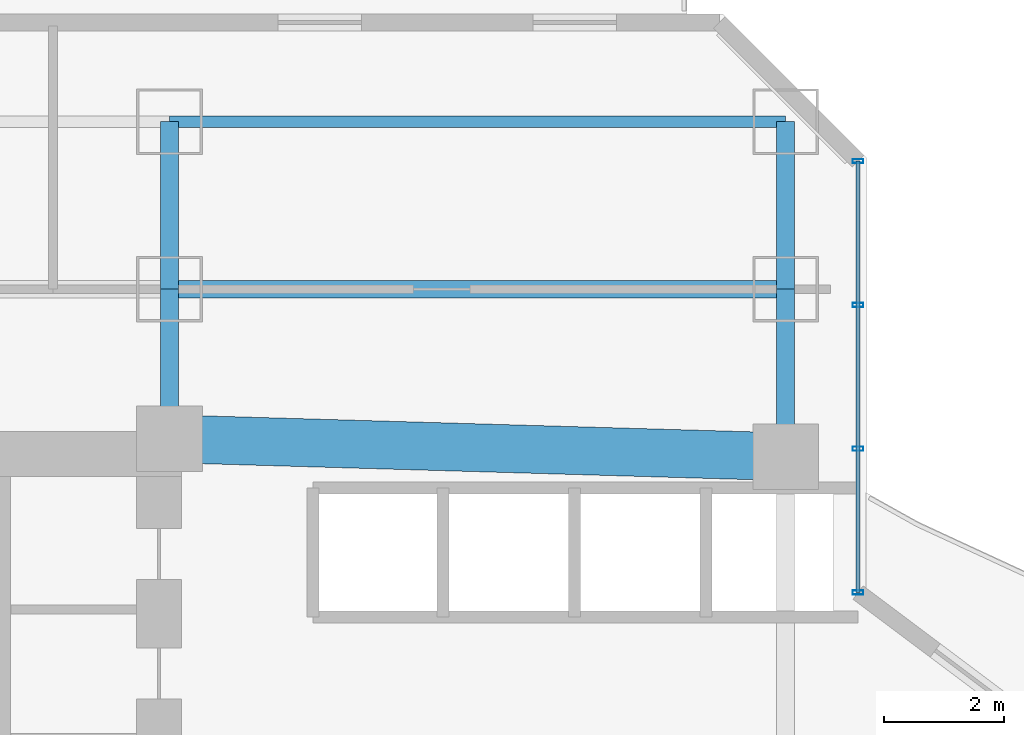
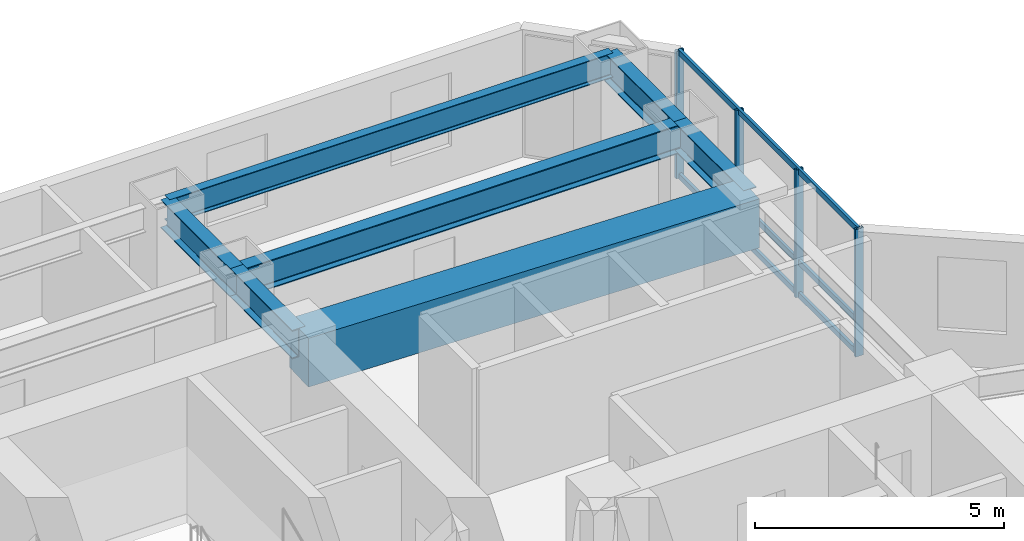
# One storey, part 18 of 37: 7 beams, 7 members, 1 element without a shape of its own.
"""IFC4 building model written with IfcOpenShell, lengths in metres."""

import ifcopenshell
import ifcopenshell.guid

model = None  # the IFC model being written
_history = None  # IfcOwnerHistory: only IFC2X3 demands one
_inside = {}  # id of a spatial element -> (the spatial element, [elements in it])
_under = {}  # id of a project, library or spatial element -> (it, [spatial elements below it])
_declared = {}  # id of a project -> (the project, [libraries it declares])
_typed = {}  # id of a type object -> (the type object, [elements of that type])
_made_of = {}  # id of a material, layer set ... -> (it, [elements and type objects made of it])


def new_model(schema):
    """Start an empty IFC model of exactly this schema.

    Asked for "IFC4X3", IfcOpenShell would pick the latest addendum, in which some entities
    have other attributes; the version numbers below select the first issue.
    IFC2X3 requires an IfcOwnerHistory on every rooted entity: one is made here for all.
    """
    global model, _history
    if schema == "IFC4X3":
        model = ifcopenshell.file(schema_version=(4, 3, 0, 0))
    else:
        model = ifcopenshell.file(schema=schema)
    _inside.clear()
    _under.clear()
    _declared.clear()
    _typed.clear()
    _made_of.clear()
    _history = None
    if model.schema == "IFC2X3":
        org = make("IfcOrganization", Name="unknown")
        user = make(
            "IfcPersonAndOrganization",
            ThePerson=make("IfcPerson", FamilyName="unknown"),
            TheOrganization=org,
        )
        app = make(
            "IfcApplication",
            ApplicationDeveloper=org,
            Version="unknown",
            ApplicationFullName="unknown",
            ApplicationIdentifier="unknown",
        )
        _history = make(
            "IfcOwnerHistory",
            OwningUser=user,
            OwningApplication=app,
            ChangeAction="ADDED",
            CreationDate=0,
        )
    return model


def make(cls, **values):
    """One entity of the class cls with the attributes given. An attribute that is None is left unset."""
    return model.create_entity(
        cls, **{name: value for name, value in values.items() if value is not None}
    )


def rooted(cls, **values):
    """An entity with a GlobalId (a new one), such as an element, a storey or a relation."""
    return make(cls, GlobalId=ifcopenshell.guid.new(), OwnerHistory=_history, **values)


def si_unit(unit_type, name, prefix=None):
    """IfcSIUnit, for example si_unit("LENGTHUNIT", "METRE", prefix="MILLI")."""
    return make("IfcSIUnit", UnitType=unit_type, Prefix=prefix, Name=name)


def assignment(units):
    """IfcUnitAssignment: the units of a project."""
    return None if units is None else make("IfcUnitAssignment", Units=units)


def point(xyz):
    """IfcCartesianPoint."""
    return None if xyz is None else make("IfcCartesianPoint", Coordinates=xyz)


def direction(xyz):
    """IfcDirection."""
    return None if xyz is None else make("IfcDirection", DirectionRatios=xyz)


def frame(location, z_axis=None, x_axis=None):
    """IfcAxis2Placement3D, a coordinate frame: its origin and axes. An axis left out is left unset."""
    return make(
        "IfcAxis2Placement3D",
        Location=point(location),
        Axis=direction(z_axis),
        RefDirection=direction(x_axis),
    )


def frame_2d(location, x_axis=None):
    """IfcAxis2Placement2D, a coordinate frame in the plane: its origin and x axis."""
    return make(
        "IfcAxis2Placement2D", Location=point(location), RefDirection=direction(x_axis)
    )


def origin():
    """The frame at (0, 0, 0) with its axes left unset."""
    return frame((0.0, 0.0, 0.0))


def origin_2d():
    """The frame at (0, 0) in the plane with its x axis left unset."""
    return frame_2d((0.0, 0.0))


def place(relative_to, where):
    """IfcLocalPlacement: puts the frame where relative to a parent placement (None: the world)."""
    return make(
        "IfcLocalPlacement", PlacementRelTo=relative_to, RelativePlacement=where
    )


def context(
    kind, dimensions, precision=None, world=None, true_north=None, identifier=None
):
    """IfcGeometricRepresentationContext, for example the 3D "Model" context."""
    return make(
        "IfcGeometricRepresentationContext",
        ContextIdentifier=identifier,
        ContextType=kind,
        CoordinateSpaceDimension=dimensions,
        Precision=precision,
        WorldCoordinateSystem=world,
        TrueNorth=true_north,
    )


def subcontext(parent, identifier, kind, view, scale=None):
    """IfcGeometricRepresentationSubContext, for example "Body" below "Model"."""
    return make(
        "IfcGeometricRepresentationSubContext",
        ContextIdentifier=identifier,
        ContextType=kind,
        ParentContext=parent,
        TargetScale=scale,
        TargetView=view,
    )


def project(units=None, contexts=None):
    """IfcProject with its units and contexts."""
    return rooted(
        "IfcProject",
        Name="project",
        RepresentationContexts=contexts,
        UnitsInContext=assignment(units),
    )


def spatial(cls, under=None, at=None, **own):
    """A site, building, storey or space (cls), placed at a placement, below another one or the project."""
    s = rooted(cls, ObjectPlacement=at, **own)
    if under is not None:
        _under.setdefault(under.id(), (under, []))[1].append(s)
    return s


def profile(cls, at=None, kind="AREA", **sizes):
    """A parametric profile (cls). Its sizes go by their IFC names, for example OverallWidth=200.0."""
    return make(cls, ProfileType=kind, Position=at, **sizes)


def rectangle(**sizes):
    """IfcRectangleProfileDef."""
    return profile("IfcRectangleProfileDef", **sizes)


def hollow_rectangle(**sizes):
    """IfcRectangleHollowProfileDef."""
    return profile("IfcRectangleHollowProfileDef", **sizes)


def i_section(**sizes):
    """IfcIShapeProfileDef."""
    return profile("IfcIShapeProfileDef", **sizes)


def extrude(swept, where, along, depth):
    """IfcExtrudedAreaSolid: the profile swept, set in the frame where, extruded along a direction by depth."""
    return make(
        "IfcExtrudedAreaSolid",
        SweptArea=swept,
        Position=where,
        ExtrudedDirection=direction(along),
        Depth=depth,
    )


def shape(context_of_items, identifier, shape_type, items):
    """IfcShapeRepresentation: the items that make up one representation, for example the "Body"."""
    return make(
        "IfcShapeRepresentation",
        ContextOfItems=context_of_items,
        RepresentationIdentifier=identifier,
        RepresentationType=shape_type,
        Items=items,
    )


def material(Name=None, Category=None):
    """IfcMaterial."""
    return make("IfcMaterial", Name=Name, Category=Category)


def layer(
    of_material, thickness, ventilated=None, Name=None, Category=None, Priority=None
):
    """IfcMaterialLayer: one layer of a wall or slab, of a material (None: an air gap)."""
    return make(
        "IfcMaterialLayer",
        Material=of_material,
        LayerThickness=thickness,
        IsVentilated=ventilated,
        Name=Name,
        Category=Category,
        Priority=Priority,
    )


def layer_set(layers, Name=None):
    """IfcMaterialLayerSet."""
    return make("IfcMaterialLayerSet", MaterialLayers=layers, LayerSetName=Name)


def material_profile(
    of_material, cross_section, Name=None, Category=None, Priority=None
):
    """IfcMaterialProfile: a cross section and its material."""
    return make(
        "IfcMaterialProfile",
        Name=Name,
        Material=of_material,
        Profile=cross_section,
        Priority=Priority,
        Category=Category,
    )


def profile_set(profiles, Name=None, composite=None):
    """IfcMaterialProfileSet."""
    return make(
        "IfcMaterialProfileSet",
        Name=Name,
        MaterialProfiles=profiles,
        CompositeProfile=composite,
    )


def made_of(thing, what):
    """Note that an element or type object is made of a material, layer set ...; save() writes the relation."""
    if what is not None:
        _made_of.setdefault(what.id(), (what, []))[1].append(thing)
    return thing


def type_object(cls, material=None, **own):
    """A type object (cls), such as IfcWallType, which elements share."""
    return made_of(rooted(cls, **own), material)


def element(
    cls,
    number,
    at=None,
    inside=None,
    cuts=None,
    type_object=None,
    material=None,
    context=None,
    identifier="Body",
    shape_type=None,
    held_by="IfcProductDefinitionShape",
    body=None,
    shapes=None,
    **own,
):
    """One element of the class cls, such as IfcWall. Its Tag is "e" and its number.

    at: its placement. inside: the storey or other place that contains it. cuts: it is an
    opening in that element (IfcRelVoidsElement). A single representation is given by context,
    identifier, shape_type and body (its items); several are given by shapes. held_by: the class
    of the entity that holds the representations. save() writes the other relations.
    """
    e = rooted(cls, Tag="e%d" % number, ObjectPlacement=at, **own)
    if body is not None:
        shapes = [shape(context, identifier, shape_type, body)]
    if shapes is not None:
        e.Representation = make(held_by, Representations=shapes)
    if inside is not None:
        _inside.setdefault(inside.id(), (inside, []))[1].append(e)
    if cuts is not None:
        rooted(
            "IfcRelVoidsElement", RelatingBuildingElement=cuts, RelatedOpeningElement=e
        )
    if type_object is not None:
        _typed.setdefault(type_object.id(), (type_object, []))[1].append(e)
    return made_of(e, material)


def aggregate(whole, parts):
    """IfcRelAggregates: a whole, such as a stair, and the parts it consists of."""
    return rooted("IfcRelAggregates", RelatingObject=whole, RelatedObjects=parts)


def save(model, path):
    """Write the relations noted so far, then the file.

    IfcRelAggregates (storeys below a building ...), IfcRelContainedInSpatialStructure (elements
    in a storey), IfcRelDefinesByType, IfcRelAssociatesMaterial and IfcRelDeclares: one each for
    every whole, place, type object, material and project.
    """
    for whole, parts in _under.values():
        aggregate(whole, parts)
    for where, things in _inside.values():
        rooted(
            "IfcRelContainedInSpatialStructure",
            RelatedElements=things,
            RelatingStructure=where,
        )
    for kind, things in _typed.values():
        rooted("IfcRelDefinesByType", RelatedObjects=things, RelatingType=kind)
    for what, things in _made_of.values():
        rooted("IfcRelAssociatesMaterial", RelatedObjects=things, RelatingMaterial=what)
    for by, libraries in _declared.values():
        rooted("IfcRelDeclares", RelatingContext=by, RelatedDefinitions=libraries)
    model.write(path)


model = new_model("IFC4")

# Units and contexts
model_context = context("Model", 3, precision=1e-05, world=origin(), true_north=direction((0.0, 1.0)))
body_context = subcontext(model_context, "Body", "Model", "MODEL_VIEW")
ifc_project = project(units=[si_unit("LENGTHUNIT", "METRE"), si_unit("AREAUNIT", "SQUARE_METRE"), si_unit("VOLUMEUNIT", "CUBIC_METRE"), si_unit("PLANEANGLEUNIT", "RADIAN"), si_unit("MASSUNIT", "GRAM", prefix="KILO")], contexts=[model_context])

# Site, building, storey
site_placement = place(None, origin())
site = spatial("IfcSite", under=ifc_project, at=site_placement, CompositionType="ELEMENT")
building_placement = place(site_placement, origin())
building = spatial("IfcBuilding", under=site, at=building_placement, Name="Hatsunagi Terrace Concourse", CompositionType="ELEMENT")
storey_placement = place(building_placement, frame((0.0, 0.0, 50.0)))
storey = spatial("IfcBuildingStorey", under=building, at=storey_placement, Name="L12", CompositionType="ELEMENT", Elevation=50.0)

# Beam
ifc_material_1 = material(Name="Concrete Fc60", Category="concrete")
ifc_material_profile_1 = material_profile(ifc_material_1, rectangle(XDim=0.800048828125, YDim=1.199951171875, at=origin_2d()), Name="RC-800x1200")
ifc_profile_set_1 = profile_set([ifc_material_profile_1], Name="Concrete Fc60")
beam_type_1 = type_object("IfcBeamType", Name="CoreCouplingBeam_RC_800x1200", PredefinedType="BEAM", material=ifc_profile_set_1)
beam_1_placement = place(storey_placement, frame((33.35009765625, 43.300048828125, 2.530029296875), z_axis=(0.999575947545, -0.029119153303, 0.0), x_axis=(0.029119153303, 0.999575947545, 0.0)))
element("IfcBeam", 1, at=beam_1_placement, inside=storey, type_object=beam_type_1, Name="Beam CB-01 CB-L12-2", PredefinedType="BEAM", context=body_context, shape_type="SweptSolid", body=[
    extrude(rectangle(XDim=0.800048828125, YDim=1.199951171875, at=origin_2d()), origin(), (0.0, 0.0, 1.0), 10.30419921875),
])

# Curtain wall, members
ifc_material_2 = material(Name="Anodised Aluminium Alloy 6063-T5", Category="aluminium")
ifc_layer = layer(ifc_material_2, 0.199951171875)
ifc_layer_set = layer_set([ifc_layer], Name="HotelFacade_CW02")
curtain_wall_type = type_object("IfcCurtainWallType", Name="HotelFacade_CW02", PredefinedType="NOTDEFINED", material=ifc_layer_set)
curtain_wall_placement = place(storey_placement, origin())
curtain_wall = element("IfcCurtainWall", 2, at=curtain_wall_placement, inside=storey, type_object=curtain_wall_type, Name="Unitised Curtain Wall CW-02 CW-L12-13", PredefinedType="NOTDEFINED")
ifc_material_3 = material(Name="Anodised Aluminium Alloy 6063-T5", Category="aluminium")
ifc_material_profile_2 = material_profile(ifc_material_3, hollow_rectangle(XDim=0.070068359375, YDim=0.179931640625, WallThickness=0.00390625, at=origin_2d()), Name="ALU-MUL-180x70x4")
ifc_profile_set_2 = profile_set([ifc_material_profile_2], Name="Anodised Aluminium Alloy 6063-T5")
member_type_1 = type_object("IfcMemberType", Name="CurtainWallMullion_180x70", PredefinedType="MULLION", material=ifc_profile_set_2)
member_1_placement = place(storey_placement, frame((44.860107421875, 47.94189453125, 0.0), z_axis=(0.0, 0.0, 1.0), x_axis=(0.0, -1.0, 0.0)))
member_1 = element("IfcMember", 3, at=member_1_placement, type_object=member_type_1, Name="Curtain Wall Mullion MUL-02", PredefinedType="MULLION", context=body_context, shape_type="SweptSolid", body=[
    extrude(hollow_rectangle(XDim=0.070068359375, YDim=0.179931640625, WallThickness=0.00390625, at=origin_2d()), origin(), (0.0, 0.0, 1.0), 3.1298828125),
])
member_2_placement = place(storey_placement, frame((44.860107421875, 45.5380859375, 0.0), z_axis=(0.0, 0.0, 1.0), x_axis=(0.0, -1.0, 0.0)))
member_2 = element("IfcMember", 4, at=member_2_placement, type_object=member_type_1, Name="Curtain Wall Mullion MUL-02", PredefinedType="MULLION", context=body_context, shape_type="SweptSolid", body=[
    extrude(hollow_rectangle(XDim=0.070068359375, YDim=0.179931640625, WallThickness=0.00390625, at=origin_2d()), origin(), (0.0, 0.0, 1.0), 3.1298828125),
])
member_3_placement = place(storey_placement, frame((44.860107421875, 43.134033203125, 0.0), z_axis=(0.0, 0.0, 1.0), x_axis=(0.0, -1.0, 0.0)))
member_3 = element("IfcMember", 5, at=member_3_placement, type_object=member_type_1, Name="Curtain Wall Mullion MUL-02", PredefinedType="MULLION", context=body_context, shape_type="SweptSolid", body=[
    extrude(hollow_rectangle(XDim=0.070068359375, YDim=0.179931640625, WallThickness=0.00390625, at=origin_2d()), origin(), (0.0, 0.0, 1.0), 3.1298828125),
])
member_4_placement = place(storey_placement, frame((44.860107421875, 40.72998046875, 0.0), z_axis=(0.0, 0.0, 1.0), x_axis=(0.0, -1.0, 0.0)))
member_4 = element("IfcMember", 6, at=member_4_placement, type_object=member_type_1, Name="Curtain Wall Mullion MUL-02", PredefinedType="MULLION", context=body_context, shape_type="SweptSolid", body=[
    extrude(hollow_rectangle(XDim=0.070068359375, YDim=0.179931640625, WallThickness=0.00390625, at=origin_2d()), origin(), (0.0, 0.0, 1.0), 3.1298828125),
])
ifc_material_4 = material(Name="Anodised Aluminium Alloy 6063-T5", Category="aluminium")
ifc_material_profile_3 = material_profile(ifc_material_4, hollow_rectangle(XDim=0.06494140625, YDim=0.139892578125, WallThickness=0.00390625, at=origin_2d()), Name="ALU-TRN-140x65x4")
ifc_profile_set_3 = profile_set([ifc_material_profile_3], Name="Anodised Aluminium Alloy 6063-T5")
member_type_2 = type_object("IfcMemberType", Name="CurtainWallTransom_140x65", PredefinedType="USERDEFINED", material=ifc_profile_set_3)
member_5_placement = place(storey_placement, frame((44.860107421875, 47.94189453125, 0.050048828125), z_axis=(0.0, -1.0, 0.0), x_axis=(1.0, 0.0, 0.0)))
member_5 = element("IfcMember", 7, at=member_5_placement, type_object=member_type_2, Name="Curtain Wall Transom TRN-02", ObjectType="TRANSOM", PredefinedType="USERDEFINED", context=body_context, shape_type="SweptSolid", body=[
    extrude(hollow_rectangle(XDim=0.06494140625, YDim=0.139892578125, WallThickness=0.00390625, at=origin_2d()), origin(), (0.0, 0.0, 1.0), 7.2119140625),
])
member_6_placement = place(storey_placement, frame((44.860107421875, 47.94189453125, 0.85009765625), z_axis=(0.0, -1.0, 0.0), x_axis=(1.0, 0.0, 0.0)))
member_6 = element("IfcMember", 8, at=member_6_placement, type_object=member_type_2, Name="Curtain Wall Transom TRN-02", ObjectType="TRANSOM", PredefinedType="USERDEFINED", context=body_context, shape_type="SweptSolid", body=[
    extrude(hollow_rectangle(XDim=0.06494140625, YDim=0.139892578125, WallThickness=0.00390625, at=origin_2d()), origin(), (0.0, 0.0, 1.0), 7.2119140625),
])
member_7_placement = place(storey_placement, frame((44.860107421875, 47.94189453125, 3.080078125), z_axis=(0.0, -1.0, 0.0), x_axis=(1.0, 0.0, 0.0)))
member_7 = element("IfcMember", 9, at=member_7_placement, type_object=member_type_2, Name="Curtain Wall Transom TRN-02", ObjectType="TRANSOM", PredefinedType="USERDEFINED", context=body_context, shape_type="SweptSolid", body=[
    extrude(hollow_rectangle(XDim=0.06494140625, YDim=0.139892578125, WallThickness=0.00390625, at=origin_2d()), origin(), (0.0, 0.0, 1.0), 7.2119140625),
])
aggregate(curtain_wall, [member_1, member_2, member_3, member_4, member_5, member_6, member_7])

# Beams
ifc_material_5 = material(Name="Steel SN490B", Category="steel")
ifc_material_profile_4 = material_profile(ifc_material_5, i_section(OverallWidth=0.300048828125, OverallDepth=0.699951171875, WebThickness=0.012939453125, FlangeThickness=0.02392578125, FilletRadius=0.02197265625, at=origin_2d()), Name="H-700x300x13x24")
ifc_profile_set_4 = profile_set([ifc_material_profile_4], Name="Steel SN490B")
beam_type_2 = type_object("IfcBeamType", Name="HotelFloorGirder_H_700x300", PredefinedType="BEAM", material=ifc_profile_set_4)
beam_2_placement = place(storey_placement, frame((33.35009765625, 43.300048828125, 2.780029296875), z_axis=(0.0, 1.0, 0.0), x_axis=(-1.0, 0.0, 0.0)))
element("IfcBeam", 10, at=beam_2_placement, inside=storey, type_object=beam_type_2, Name="Beam G-04 BM-L12-CN2", PredefinedType="BEAM", context=body_context, shape_type="SweptSolid", body=[
    extrude(i_section(OverallWidth=0.300048828125, OverallDepth=0.699951171875, WebThickness=0.012939453125, FlangeThickness=0.02392578125, FilletRadius=0.02197265625, at=origin_2d()), origin(), (0.0, 0.0, 1.0), 2.5),
])
beam_3_placement = place(storey_placement, frame((43.64990234375, 43.0, 2.780029296875), z_axis=(0.0, 1.0, 0.0), x_axis=(-1.0, 0.0, 0.0)))
element("IfcBeam", 11, at=beam_3_placement, inside=storey, type_object=beam_type_2, Name="Beam G-04 BM-L12-CN3", PredefinedType="BEAM", context=body_context, shape_type="SweptSolid", body=[
    extrude(i_section(OverallWidth=0.300048828125, OverallDepth=0.699951171875, WebThickness=0.012939453125, FlangeThickness=0.02392578125, FilletRadius=0.02197265625, at=origin_2d()), origin(), (0.0, 0.0, 1.0), 2.800048828125),
])
beam_4_placement = place(storey_placement, frame((33.35009765625, 45.800048828125, 2.780029296875), z_axis=(1.0, 0.0, 0.0), x_axis=(0.0, 1.0, 0.0)))
element("IfcBeam", 12, at=beam_4_placement, inside=storey, type_object=beam_type_2, Name="Beam G-04 BM-L12-CNEW2", PredefinedType="BEAM", context=body_context, shape_type="SweptSolid", body=[
    extrude(i_section(OverallWidth=0.300048828125, OverallDepth=0.699951171875, WebThickness=0.012939453125, FlangeThickness=0.02392578125, FilletRadius=0.02197265625, at=origin_2d()), origin(), (0.0, 0.0, 1.0), 10.2998046875),
])
for number, where, z_axis, x_axis, name in (
    (13, (33.35009765625, 45.800048828125, 2.780029296875), (0.0, 1.0, 0.0), (-1.0, 0.0, 0.0), "Beam G-04 BM-L12-KN-WN5"),
    (14, (43.64990234375, 45.800048828125, 2.780029296875), (0.0, 1.0, 0.0), (-1.0, 0.0, 0.0), "Beam G-04 BM-L12-KN-WN6"),
):
    element("IfcBeam", number, at=place(storey_placement, frame(where, z_axis=z_axis, x_axis=x_axis)), inside=storey, type_object=beam_type_2, Name=name, PredefinedType="BEAM", context=body_context, shape_type="SweptSolid", body=[
        extrude(i_section(OverallWidth=0.300048828125, OverallDepth=0.699951171875, WebThickness=0.012939453125, FlangeThickness=0.02392578125, FilletRadius=0.02197265625, at=origin_2d()), origin(), (0.0, 0.0, 1.0), 2.800048828125),
    ])
ifc_material_6 = material(Name="Steel SN490B", Category="steel")
ifc_material_profile_5 = material_profile(ifc_material_6, i_section(OverallWidth=0.199951171875, OverallDepth=0.60009765625, WebThickness=0.010986328125, FlangeThickness=0.01708984375, FilletRadius=0.01806640625, at=origin_2d()), Name="H-600x200x11x17")
ifc_profile_set_5 = profile_set([ifc_material_profile_5], Name="Steel SN490B")
beam_type_3 = type_object("IfcBeamType", Name="PerimeterSpandrel_H_600x200", PredefinedType="SPANDREL", material=ifc_profile_set_5)
beam_5_placement = place(storey_placement, frame((33.35009765625, 48.60009765625, 2.830078125), z_axis=(1.0, 0.0, 0.0), x_axis=(0.0, 1.0, 0.0)))
element("IfcBeam", 15, at=beam_5_placement, inside=storey, type_object=beam_type_3, Name="Beam SP-01 BM-L12-WN-33", PredefinedType="SPANDREL", context=body_context, shape_type="SweptSolid", body=[
    extrude(i_section(OverallWidth=0.199951171875, OverallDepth=0.60009765625, WebThickness=0.010986328125, FlangeThickness=0.01708984375, FilletRadius=0.01806640625, at=origin_2d()), origin(), (0.0, 0.0, 1.0), 10.2998046875),
])

save(model, "model.ifc")
